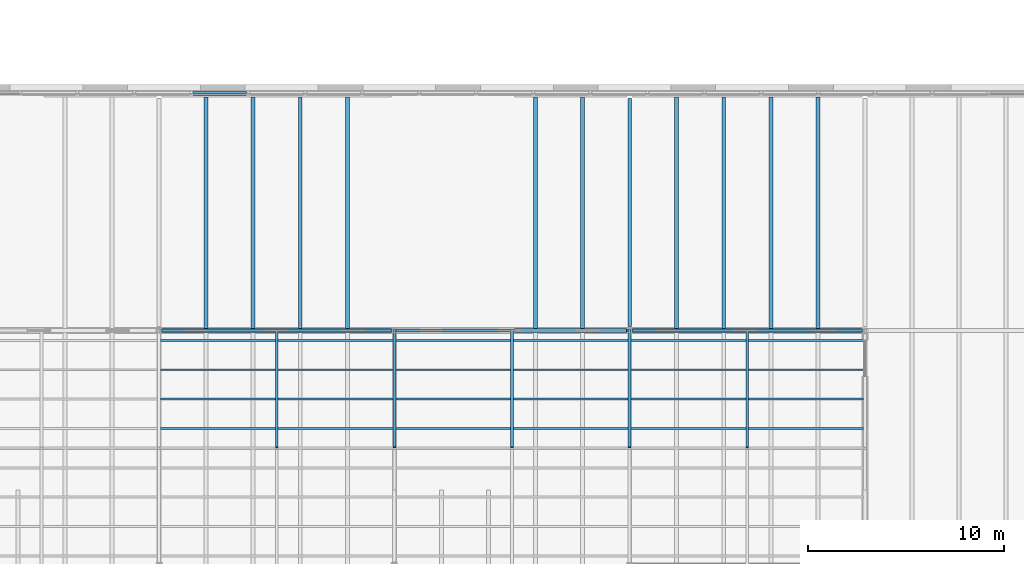
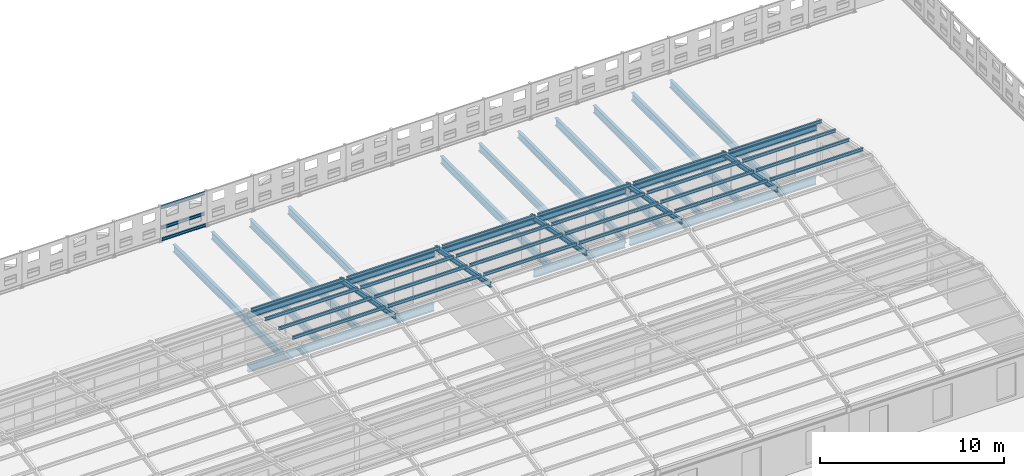
# One storey, part 34 of 91: 27 members, 22 beams.
"""IFC4 building model written with IfcOpenShell, lengths in metres."""

import ifcopenshell
import ifcopenshell.guid

model = None  # the IFC model being written
_history = None  # IfcOwnerHistory: only IFC2X3 demands one
_inside = {}  # id of a spatial element -> (the spatial element, [elements in it])
_under = {}  # id of a project, library or spatial element -> (it, [spatial elements below it])
_declared = {}  # id of a project -> (the project, [libraries it declares])
_typed = {}  # id of a type object -> (the type object, [elements of that type])
_made_of = {}  # id of a material, layer set ... -> (it, [elements and type objects made of it])


def new_model(schema):
    """Start an empty IFC model of exactly this schema.

    Asked for "IFC4X3", IfcOpenShell would pick the latest addendum, in which some entities
    have other attributes; the version numbers below select the first issue.
    IFC2X3 requires an IfcOwnerHistory on every rooted entity: one is made here for all.
    """
    global model, _history
    if schema == "IFC4X3":
        model = ifcopenshell.file(schema_version=(4, 3, 0, 0))
    else:
        model = ifcopenshell.file(schema=schema)
    _inside.clear()
    _under.clear()
    _declared.clear()
    _typed.clear()
    _made_of.clear()
    _history = None
    if model.schema == "IFC2X3":
        org = make("IfcOrganization", Name="unknown")
        user = make(
            "IfcPersonAndOrganization",
            ThePerson=make("IfcPerson", FamilyName="unknown"),
            TheOrganization=org,
        )
        app = make(
            "IfcApplication",
            ApplicationDeveloper=org,
            Version="unknown",
            ApplicationFullName="unknown",
            ApplicationIdentifier="unknown",
        )
        _history = make(
            "IfcOwnerHistory",
            OwningUser=user,
            OwningApplication=app,
            ChangeAction="ADDED",
            CreationDate=0,
        )
    return model


def make(cls, **values):
    """One entity of the class cls with the attributes given. An attribute that is None is left unset."""
    return model.create_entity(
        cls, **{name: value for name, value in values.items() if value is not None}
    )


def rooted(cls, **values):
    """An entity with a GlobalId (a new one), such as an element, a storey or a relation."""
    return make(cls, GlobalId=ifcopenshell.guid.new(), OwnerHistory=_history, **values)


def si_unit(unit_type, name, prefix=None):
    """IfcSIUnit, for example si_unit("LENGTHUNIT", "METRE", prefix="MILLI")."""
    return make("IfcSIUnit", UnitType=unit_type, Prefix=prefix, Name=name)


def assignment(units):
    """IfcUnitAssignment: the units of a project."""
    return None if units is None else make("IfcUnitAssignment", Units=units)


def point(xyz):
    """IfcCartesianPoint."""
    return None if xyz is None else make("IfcCartesianPoint", Coordinates=xyz)


def direction(xyz):
    """IfcDirection."""
    return None if xyz is None else make("IfcDirection", DirectionRatios=xyz)


def frame(location, z_axis=None, x_axis=None):
    """IfcAxis2Placement3D, a coordinate frame: its origin and axes. An axis left out is left unset."""
    return make(
        "IfcAxis2Placement3D",
        Location=point(location),
        Axis=direction(z_axis),
        RefDirection=direction(x_axis),
    )


def frame_2d(location, x_axis=None):
    """IfcAxis2Placement2D, a coordinate frame in the plane: its origin and x axis."""
    return make(
        "IfcAxis2Placement2D", Location=point(location), RefDirection=direction(x_axis)
    )


def origin():
    """The frame at (0, 0, 0) with its axes left unset."""
    return frame((0.0, 0.0, 0.0))


def origin_2d():
    """The frame at (0, 0) in the plane with its x axis left unset."""
    return frame_2d((0.0, 0.0))


def place(relative_to, where):
    """IfcLocalPlacement: puts the frame where relative to a parent placement (None: the world)."""
    return make(
        "IfcLocalPlacement", PlacementRelTo=relative_to, RelativePlacement=where
    )


def context(
    kind, dimensions, precision=None, world=None, true_north=None, identifier=None
):
    """IfcGeometricRepresentationContext, for example the 3D "Model" context."""
    return make(
        "IfcGeometricRepresentationContext",
        ContextIdentifier=identifier,
        ContextType=kind,
        CoordinateSpaceDimension=dimensions,
        Precision=precision,
        WorldCoordinateSystem=world,
        TrueNorth=true_north,
    )


def subcontext(parent, identifier, kind, view, scale=None):
    """IfcGeometricRepresentationSubContext, for example "Body" below "Model"."""
    return make(
        "IfcGeometricRepresentationSubContext",
        ContextIdentifier=identifier,
        ContextType=kind,
        ParentContext=parent,
        TargetScale=scale,
        TargetView=view,
    )


def project(units=None, contexts=None):
    """IfcProject with its units and contexts."""
    return rooted(
        "IfcProject",
        Name="project",
        RepresentationContexts=contexts,
        UnitsInContext=assignment(units),
    )


def spatial(cls, under=None, at=None, **own):
    """A site, building, storey or space (cls), placed at a placement, below another one or the project."""
    s = rooted(cls, ObjectPlacement=at, **own)
    if under is not None:
        _under.setdefault(under.id(), (under, []))[1].append(s)
    return s


def profile(cls, at=None, kind="AREA", **sizes):
    """A parametric profile (cls). Its sizes go by their IFC names, for example OverallWidth=200.0."""
    return make(cls, ProfileType=kind, Position=at, **sizes)


def i_section(**sizes):
    """IfcIShapeProfileDef."""
    return profile("IfcIShapeProfileDef", **sizes)


def extrude(swept, where, along, depth):
    """IfcExtrudedAreaSolid: the profile swept, set in the frame where, extruded along a direction by depth."""
    return make(
        "IfcExtrudedAreaSolid",
        SweptArea=swept,
        Position=where,
        ExtrudedDirection=direction(along),
        Depth=depth,
    )


def shape(context_of_items, identifier, shape_type, items):
    """IfcShapeRepresentation: the items that make up one representation, for example the "Body"."""
    return make(
        "IfcShapeRepresentation",
        ContextOfItems=context_of_items,
        RepresentationIdentifier=identifier,
        RepresentationType=shape_type,
        Items=items,
    )


def material(Name=None, Category=None):
    """IfcMaterial."""
    return make("IfcMaterial", Name=Name, Category=Category)


def material_profile(
    of_material, cross_section, Name=None, Category=None, Priority=None
):
    """IfcMaterialProfile: a cross section and its material."""
    return make(
        "IfcMaterialProfile",
        Name=Name,
        Material=of_material,
        Profile=cross_section,
        Priority=Priority,
        Category=Category,
    )


def profile_set(profiles, Name=None, composite=None):
    """IfcMaterialProfileSet."""
    return make(
        "IfcMaterialProfileSet",
        Name=Name,
        MaterialProfiles=profiles,
        CompositeProfile=composite,
    )


def made_of(thing, what):
    """Note that an element or type object is made of a material, layer set ...; save() writes the relation."""
    if what is not None:
        _made_of.setdefault(what.id(), (what, []))[1].append(thing)
    return thing


def type_object(cls, material=None, **own):
    """A type object (cls), such as IfcWallType, which elements share."""
    return made_of(rooted(cls, **own), material)


def element(
    cls,
    number,
    at=None,
    inside=None,
    cuts=None,
    type_object=None,
    material=None,
    context=None,
    identifier="Body",
    shape_type=None,
    held_by="IfcProductDefinitionShape",
    body=None,
    shapes=None,
    **own,
):
    """One element of the class cls, such as IfcWall. Its Tag is "e" and its number.

    at: its placement. inside: the storey or other place that contains it. cuts: it is an
    opening in that element (IfcRelVoidsElement). A single representation is given by context,
    identifier, shape_type and body (its items); several are given by shapes. held_by: the class
    of the entity that holds the representations. save() writes the other relations.
    """
    e = rooted(cls, Tag="e%d" % number, ObjectPlacement=at, **own)
    if body is not None:
        shapes = [shape(context, identifier, shape_type, body)]
    if shapes is not None:
        e.Representation = make(held_by, Representations=shapes)
    if inside is not None:
        _inside.setdefault(inside.id(), (inside, []))[1].append(e)
    if cuts is not None:
        rooted(
            "IfcRelVoidsElement", RelatingBuildingElement=cuts, RelatedOpeningElement=e
        )
    if type_object is not None:
        _typed.setdefault(type_object.id(), (type_object, []))[1].append(e)
    return made_of(e, material)


def aggregate(whole, parts):
    """IfcRelAggregates: a whole, such as a stair, and the parts it consists of."""
    return rooted("IfcRelAggregates", RelatingObject=whole, RelatedObjects=parts)


def save(model, path):
    """Write the relations noted so far, then the file.

    IfcRelAggregates (storeys below a building ...), IfcRelContainedInSpatialStructure (elements
    in a storey), IfcRelDefinesByType, IfcRelAssociatesMaterial and IfcRelDeclares: one each for
    every whole, place, type object, material and project.
    """
    for whole, parts in _under.values():
        aggregate(whole, parts)
    for where, things in _inside.values():
        rooted(
            "IfcRelContainedInSpatialStructure",
            RelatedElements=things,
            RelatingStructure=where,
        )
    for kind, things in _typed.values():
        rooted("IfcRelDefinesByType", RelatedObjects=things, RelatingType=kind)
    for what, things in _made_of.values():
        rooted("IfcRelAssociatesMaterial", RelatedObjects=things, RelatingMaterial=what)
    for by, libraries in _declared.values():
        rooted("IfcRelDeclares", RelatingContext=by, RelatedDefinitions=libraries)
    model.write(path)


model = new_model("IFC4")

# Units and contexts
model_context = context("Model", 3, precision=1e-05, world=origin(), true_north=direction((0.0, 1.0)))
body_context = subcontext(model_context, "Body", "Model", "MODEL_VIEW")
ifc_project = project(units=[si_unit("LENGTHUNIT", "METRE"), si_unit("AREAUNIT", "SQUARE_METRE"), si_unit("VOLUMEUNIT", "CUBIC_METRE"), si_unit("PLANEANGLEUNIT", "RADIAN"), si_unit("MASSUNIT", "GRAM", prefix="KILO")], contexts=[model_context])

# Site, building, storey
site_placement = place(None, origin())
site = spatial("IfcSite", under=ifc_project, at=site_placement, CompositionType="ELEMENT")
building_placement = place(site_placement, origin())
building = spatial("IfcBuilding", under=site, at=building_placement, Name="Ravi Spectrum Wholesale Market", CompositionType="ELEMENT")
storey_placement = place(building_placement, frame((0.0, 0.0, 16.199951171875)))
storey = spatial("IfcBuildingStorey", under=building, at=storey_placement, Name="ROOF PLANT LEVEL", CompositionType="ELEMENT", Elevation=16.199951171875)

# Members
ifc_material_1 = material(Name="Steel S355", Category="steel")
ifc_material_profile_1 = material_profile(ifc_material_1, i_section(OverallWidth=0.10009765625, OverallDepth=0.199951171875, WebThickness=0.005615234375, FlangeThickness=0.008544921875, at=origin_2d()))
ifc_profile_set_1 = profile_set([ifc_material_profile_1], Name="Steel S355")
member_type = type_object("IfcMemberType", Name="IPE 200 purlin", PredefinedType="PURLIN", material=ifc_profile_set_1)
for number, where, z_axis, x_axis, name in (
    (1, (238.46240234375, 66.14990234375, 0.900146484375), (-1.0, 0.0, 0.0), (0.0, -1.0, 0.0), "CS-MB-ROOF-270"),
    (2, (238.46240234375, 66.14990234375, 2.25), (-1.0, 0.0, 0.0), (0.0, -1.0, 0.0), "CS-MB-ROOF-271"),
    (3, (238.46240234375, 66.05078125, 0.199951171875), (-1.0, 0.0, 0.0), (0.0, -1.0, 0.0), "CS-MB-ROOF-272"),
):
    element("IfcMember", number, at=place(storey_placement, frame(where, z_axis=z_axis, x_axis=x_axis)), inside=storey, type_object=member_type, Name=name, PredefinedType="PURLIN", context=body_context, shape_type="SweptSolid", body=[
        extrude(i_section(OverallWidth=0.10009765625, OverallDepth=0.199951171875, WebThickness=0.005615234375, FlangeThickness=0.008544921875, at=origin_2d()), origin(), (0.0, 0.0, 1.0), 2.738525390625),
    ])
for number, where, z_axis, x_axis, name in (
    (4, (234.074951171875, 53.5, 3.684814453125), (1.0, 0.0, 0.0), (0.0, 1.0, 0.0), "CS-MB-ROOF-441"),
    (5, (234.074951171875, 52.0, 3.976318359375), (1.0, 0.0, 0.0), (0.0, 1.0, 0.0), "CS-MB-ROOF-442"),
    (6, (234.074951171875, 50.5, 4.267822265625), (1.0, 0.0, 0.0), (0.0, 1.0, 0.0), "CS-MB-ROOF-443"),
    (7, (234.074951171875, 49.0, 4.559326171875), (1.0, 0.0, 0.0), (0.0, 1.0, 0.0), "CS-MB-ROOF-444"),
    (8, (240.074951171875, 53.5, 3.684814453125), (1.0, 0.0, 0.0), (0.0, 1.0, 0.0), "CS-MB-ROOF-459"),
    (9, (240.074951171875, 52.0, 3.976318359375), (1.0, 0.0, 0.0), (0.0, 1.0, 0.0), "CS-MB-ROOF-460"),
    (10, (240.074951171875, 50.5, 4.267822265625), (1.0, 0.0, 0.0), (0.0, 1.0, 0.0), "CS-MB-ROOF-461"),
    (11, (240.074951171875, 49.0, 4.559326171875), (1.0, 0.0, 0.0), (0.0, 1.0, 0.0), "CS-MB-ROOF-462"),
    (12, (246.074951171875, 53.5, 3.684814453125), (1.0, 0.0, 0.0), (0.0, 1.0, 0.0), "CS-MB-ROOF-477"),
    (13, (246.074951171875, 52.0, 3.976318359375), (1.0, 0.0, 0.0), (0.0, 1.0, 0.0), "CS-MB-ROOF-478"),
    (14, (246.074951171875, 50.5, 4.267822265625), (1.0, 0.0, 0.0), (0.0, 1.0, 0.0), "CS-MB-ROOF-479"),
    (15, (246.074951171875, 49.0, 4.559326171875), (1.0, 0.0, 0.0), (0.0, 1.0, 0.0), "CS-MB-ROOF-480"),
    (16, (252.074951171875, 53.5, 3.684814453125), (1.0, 0.0, 0.0), (0.0, 1.0, 0.0), "CS-MB-ROOF-495"),
    (17, (252.074951171875, 52.0, 3.976318359375), (1.0, 0.0, 0.0), (0.0, 1.0, 0.0), "CS-MB-ROOF-496"),
    (18, (252.074951171875, 50.5, 4.267822265625), (1.0, 0.0, 0.0), (0.0, 1.0, 0.0), "CS-MB-ROOF-497"),
    (19, (252.074951171875, 49.0, 4.559326171875), (1.0, 0.0, 0.0), (0.0, 1.0, 0.0), "CS-MB-ROOF-498"),
    (20, (258.074951171875, 53.5, 3.684814453125), (1.0, 0.0, 0.0), (0.0, 1.0, 0.0), "CS-MB-ROOF-513"),
    (21, (258.074951171875, 52.0, 3.976318359375), (1.0, 0.0, 0.0), (0.0, 1.0, 0.0), "CS-MB-ROOF-514"),
    (22, (258.074951171875, 50.5, 4.267822265625), (1.0, 0.0, 0.0), (0.0, 1.0, 0.0), "CS-MB-ROOF-515"),
    (23, (258.074951171875, 49.0, 4.559326171875), (1.0, 0.0, 0.0), (0.0, 1.0, 0.0), "CS-MB-ROOF-516"),
    (24, (264.074951171875, 53.5, 3.684814453125), (1.0, 0.0, 0.0), (0.0, 1.0, 0.0), "CS-MB-ROOF-531"),
    (25, (264.074951171875, 52.0, 3.976318359375), (1.0, 0.0, 0.0), (0.0, 1.0, 0.0), "CS-MB-ROOF-532"),
    (26, (264.074951171875, 50.5, 4.267822265625), (1.0, 0.0, 0.0), (0.0, 1.0, 0.0), "CS-MB-ROOF-533"),
    (27, (264.074951171875, 49.0, 4.559326171875), (1.0, 0.0, 0.0), (0.0, 1.0, 0.0), "CS-MB-ROOF-534"),
):
    element("IfcMember", number, at=place(storey_placement, frame(where, z_axis=z_axis, x_axis=x_axis)), inside=storey, type_object=member_type, Name=name, PredefinedType="PURLIN", context=body_context, shape_type="SweptSolid", body=[
        extrude(i_section(OverallWidth=0.10009765625, OverallDepth=0.199951171875, WebThickness=0.005615234375, FlangeThickness=0.008544921875, at=origin_2d()), origin(), (0.0, 0.0, 1.0), 5.85009765625),
    ])

# Beams
ifc_material_2 = material(Name="Steel S355", Category="steel")
ifc_material_profile_2 = material_profile(ifc_material_2, i_section(OverallWidth=0.14990234375, OverallDepth=0.300048828125, WebThickness=0.007080078125, FlangeThickness=0.0107421875, at=origin_2d()))
ifc_profile_set_2 = profile_set([ifc_material_profile_2], Name="Steel S355")
beam_type_1 = type_object("IfcBeamType", Name="IPE 300 beam", PredefinedType="BEAM", material=ifc_profile_set_2)
for number, where, z_axis, x_axis, name in (
    (28, (240.0, 54.028564453125, 3.3193359375), (0.0, -0.981627860336, 0.190805513054), (1.0, 0.0, 0.0), "CS-BM-ROOF-219"),
    (29, (246.0, 54.028564453125, 3.3193359375), (0.0, -0.981627860336, 0.190805513054), (1.0, 0.0, 0.0), "CS-BM-ROOF-223"),
    (30, (252.0, 54.028564453125, 3.3193359375), (0.0, -0.981627860336, 0.190805513054), (1.0, 0.0, 0.0), "CS-BM-ROOF-227"),
    (31, (258.0, 54.028564453125, 3.3193359375), (0.0, -0.981627860336, 0.190805513054), (1.0, 0.0, 0.0), "CS-BM-ROOF-231"),
    (32, (264.0, 54.028564453125, 3.3193359375), (0.0, -0.981627860336, 0.190805513054), (1.0, 0.0, 0.0), "CS-BM-ROOF-235"),
):
    element("IfcBeam", number, at=place(storey_placement, frame(where, z_axis=z_axis, x_axis=x_axis)), inside=storey, type_object=beam_type_1, Name=name, PredefinedType="BEAM", context=body_context, shape_type="SweptSolid", body=[
        extrude(i_section(OverallWidth=0.14990234375, OverallDepth=0.300048828125, WebThickness=0.007080078125, FlangeThickness=0.0107421875, at=origin_2d()), origin(), (0.0, 0.0, 1.0), 6.1123046875),
    ])
ifc_material_3 = material(Name="Steel S355", Category="steel")
ifc_material_profile_3 = material_profile(ifc_material_3, i_section(OverallWidth=0.169921875, OverallDepth=0.360107421875, WebThickness=0.008056640625, FlangeThickness=0.0126953125, at=origin_2d()))
ifc_profile_set_3 = profile_set([ifc_material_profile_3], Name="Steel S355")
beam_type_2 = type_object("IfcBeamType", Name="IPE 360 beam", PredefinedType="BEAM", material=ifc_profile_set_3)
for number, where, z_axis, x_axis, name in (
    (33, (234.1201171875, 54.0, 2.9921875), (1.0, 0.0, 0.0), (0.0, 1.0, 0.0), "CS-BM-ROOF-193"),
    (34, (246.1201171875, 54.0, 2.9921875), (1.0, 0.0, 0.0), (0.0, 1.0, 0.0), "CS-BM-ROOF-194"),
    (35, (258.1201171875, 54.0, 2.9921875), (1.0, 0.0, 0.0), (0.0, 1.0, 0.0), "CS-BM-ROOF-195"),
):
    element("IfcBeam", number, at=place(storey_placement, frame(where, z_axis=z_axis, x_axis=x_axis)), inside=storey, type_object=beam_type_2, Name=name, PredefinedType="BEAM", context=body_context, shape_type="SweptSolid", body=[
        extrude(i_section(OverallWidth=0.169921875, OverallDepth=0.360107421875, WebThickness=0.008056640625, FlangeThickness=0.0126953125, at=origin_2d()), origin(), (0.0, 0.0, 1.0), 11.759765625),
    ])
ifc_material_4 = material(Name="Steel S355", Category="steel")
ifc_material_profile_4 = material_profile(ifc_material_4, i_section(OverallWidth=0.18994140625, OverallDepth=0.449951171875, WebThickness=0.009521484375, FlangeThickness=0.0146484375, at=origin_2d()))
ifc_profile_set_4 = profile_set([ifc_material_profile_4], Name="Steel S355")
beam_type_3 = type_object("IfcBeamType", Name="IPE 450 girder", PredefinedType="BEAM", material=ifc_profile_set_4)
beam_1_placement = place(storey_placement, frame((258.0, 54.199951171875, -0.474853515625), z_axis=(0.0, 1.0, 0.0), x_axis=(-1.0, 0.0, 0.0)))
element("IfcBeam", 36, at=beam_1_placement, inside=storey, type_object=beam_type_3, Name="CS-BM-ROOF-058", PredefinedType="BEAM", context=body_context, shape_type="SweptSolid", body=[
    extrude(i_section(OverallWidth=0.18994140625, OverallDepth=0.449951171875, WebThickness=0.009521484375, FlangeThickness=0.0146484375, at=origin_2d()), origin(), (0.0, 0.0, 1.0), 11.630126953125),
])
ifc_material_5 = material(Name="Steel S355", Category="steel")
ifc_material_profile_5 = material_profile(ifc_material_5, i_section(OverallWidth=0.199951171875, OverallDepth=0.5, WebThickness=0.01025390625, FlangeThickness=0.01611328125, at=origin_2d()))
ifc_profile_set_5 = profile_set([ifc_material_profile_5], Name="Steel S355")
beam_type_4 = type_object("IfcBeamType", Name="IPE 500 beam", PredefinedType="BEAM", material=ifc_profile_set_5)
beam_2_placement = place(storey_placement, frame((234.14990234375, 54.0, -0.5), z_axis=(1.0, 0.0, 0.0), x_axis=(0.0, 1.0, 0.0)))
element("IfcBeam", 37, at=beam_2_placement, inside=storey, type_object=beam_type_4, Name="CS-BM-ROOF-025", PredefinedType="BEAM", context=body_context, shape_type="SweptSolid", body=[
    extrude(i_section(OverallWidth=0.199951171875, OverallDepth=0.5, WebThickness=0.01025390625, FlangeThickness=0.01611328125, at=origin_2d()), origin(), (0.0, 0.0, 1.0), 11.7001953125),
])
beam_3_placement = place(storey_placement, frame((252.125, 54.0, -0.5), z_axis=(1.0, 0.0, 0.0), x_axis=(0.0, 1.0, 0.0)))
element("IfcBeam", 38, at=beam_3_placement, inside=storey, type_object=beam_type_4, Name="CS-BM-ROOF-026", PredefinedType="BEAM", context=body_context, shape_type="SweptSolid", body=[
    extrude(i_section(OverallWidth=0.199951171875, OverallDepth=0.5, WebThickness=0.01025390625, FlangeThickness=0.01611328125, at=origin_2d()), origin(), (0.0, 0.0, 1.0), 5.72509765625),
])
beam_4_placement = place(storey_placement, frame((258.14990234375, 54.0, -0.5), z_axis=(1.0, 0.0, 0.0), x_axis=(0.0, 1.0, 0.0)))
element("IfcBeam", 39, at=beam_4_placement, inside=storey, type_object=beam_type_4, Name="CS-BM-ROOF-027", PredefinedType="BEAM", context=body_context, shape_type="SweptSolid", body=[
    extrude(i_section(OverallWidth=0.199951171875, OverallDepth=0.5, WebThickness=0.01025390625, FlangeThickness=0.01611328125, at=origin_2d()), origin(), (0.0, 0.0, 1.0), 11.7001953125),
])
for number, where, z_axis, x_axis, name in (
    (40, (236.39990234375, 54.10009765625, -0.5), (0.0, 1.0, 0.0), (-1.0, 0.0, 0.0), "CS-BM-ROOF-128"),
    (41, (238.800048828125, 54.10009765625, -0.5), (0.0, 1.0, 0.0), (-1.0, 0.0, 0.0), "CS-BM-ROOF-129"),
    (42, (241.199951171875, 54.10009765625, -0.5), (0.0, 1.0, 0.0), (-1.0, 0.0, 0.0), "CS-BM-ROOF-130"),
    (43, (243.60009765625, 54.10009765625, -0.5), (0.0, 1.0, 0.0), (-1.0, 0.0, 0.0), "CS-BM-ROOF-131"),
    (44, (253.199951171875, 54.10009765625, -0.5), (0.0, 1.0, 0.0), (-1.0, 0.0, 0.0), "CS-BM-ROOF-144"),
    (45, (255.60009765625, 54.10009765625, -0.5), (0.0, 1.0, 0.0), (-1.0, 0.0, 0.0), "CS-BM-ROOF-145"),
    (46, (260.39990234375, 54.10009765625, -0.5), (0.0, 1.0, 0.0), (-1.0, 0.0, 0.0), "CS-BM-ROOF-158"),
    (47, (262.800048828125, 54.10009765625, -0.5), (0.0, 1.0, 0.0), (-1.0, 0.0, 0.0), "CS-BM-ROOF-159"),
    (48, (265.199951171875, 54.10009765625, -0.5), (0.0, 1.0, 0.0), (-1.0, 0.0, 0.0), "CS-BM-ROOF-160"),
    (49, (267.60009765625, 54.10009765625, -0.5), (0.0, 1.0, 0.0), (-1.0, 0.0, 0.0), "CS-BM-ROOF-161"),
):
    element("IfcBeam", number, at=place(storey_placement, frame(where, z_axis=z_axis, x_axis=x_axis)), inside=storey, type_object=beam_type_4, Name=name, PredefinedType="BEAM", context=body_context, shape_type="SweptSolid", body=[
        extrude(i_section(OverallWidth=0.199951171875, OverallDepth=0.5, WebThickness=0.01025390625, FlangeThickness=0.01611328125, at=origin_2d()), origin(), (0.0, 0.0, 1.0), 11.7998046875),
    ])

save(model, "model.ifc")
